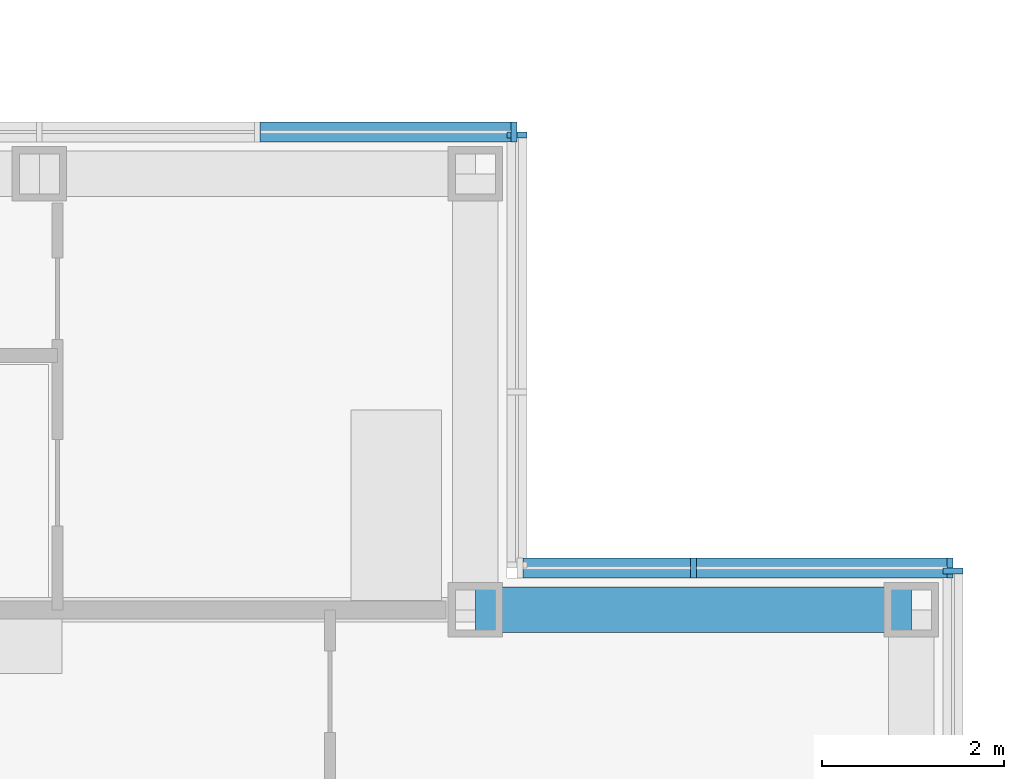
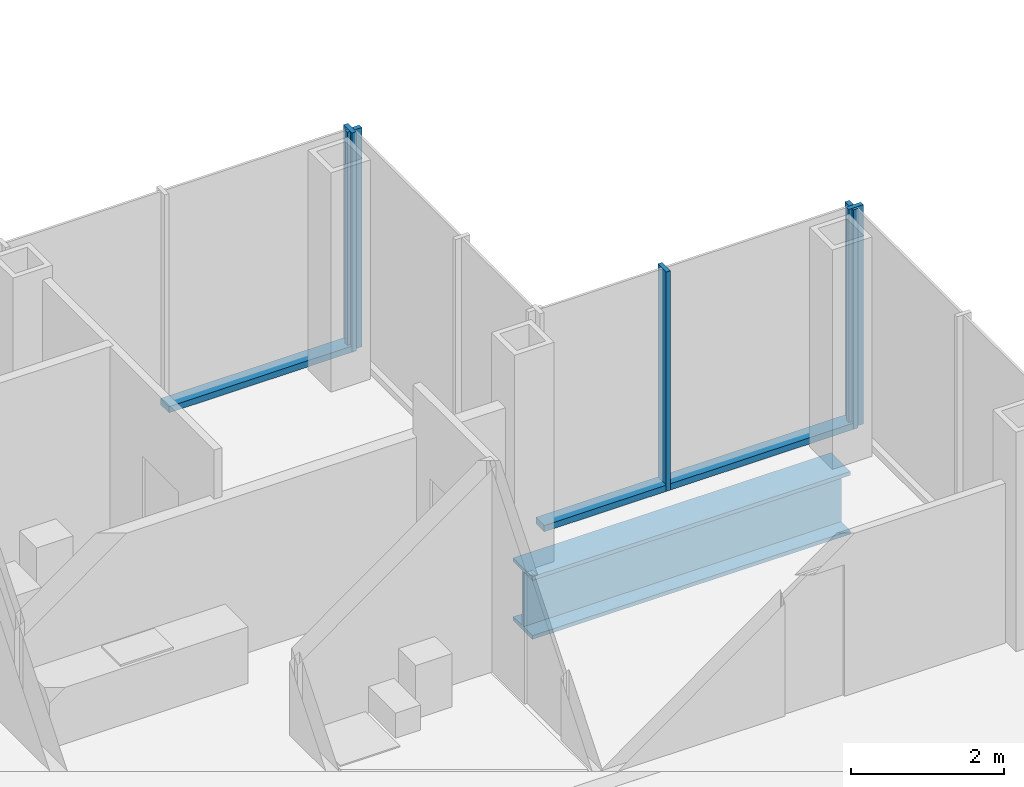
# One storey, part 9 of 19: 8 members, 1 beam, 4 elements without a shape of their own.
"""IFC4 building model written with IfcOpenShell, lengths in metres."""

from ifc_helpers import new_model, si_unit, direction, frame, origin, origin_2d, place, context, subcontext, project, spatial, rectangle, i_section, extrude, material, material_profile, profile_set, type_object, element, aggregate, save


model = new_model("IFC4")

# Units and contexts
model_context = context("Model", 3, precision=1e-05, world=origin(), true_north=direction((0.0, 1.0)))
body_context = subcontext(model_context, "Body", "Model", "MODEL_VIEW")
ifc_project = project(units=[si_unit("LENGTHUNIT", "METRE"), si_unit("AREAUNIT", "SQUARE_METRE"), si_unit("VOLUMEUNIT", "CUBIC_METRE"), si_unit("PLANEANGLEUNIT", "RADIAN"), si_unit("MASSUNIT", "GRAM", prefix="KILO")], contexts=[model_context])

# Site, building, storey
site_placement = place(None, origin())
site = spatial("IfcSite", under=ifc_project, at=site_placement, CompositionType="ELEMENT")
building_placement = place(site_placement, origin())
building = spatial("IfcBuilding", under=site, at=building_placement, Name="Kvirike Care Tower", CompositionType="ELEMENT")
storey_placement = place(building_placement, frame((0.0, 0.0, 108.5)))
storey = spatial("IfcBuildingStorey", under=building, at=storey_placement, Name="L29", CompositionType="ELEMENT", Elevation=108.5)

# Curtain wall, member
ifc_material_1 = material(Name="Anodised aluminium stick system", Category="aluminium")
curtain_wall_type = type_object("IfcCurtainWallType", Name="CW-B STICK CURTAIN WALL", PredefinedType="NOTDEFINED", material=ifc_material_1)
curtain_wall_1_placement = place(storey_placement, origin())
curtain_wall_1 = element("IfcCurtainWall", 1, at=curtain_wall_1_placement, inside=storey, type_object=curtain_wall_type, Name="Curtain wall L29 face 1", PredefinedType="NOTDEFINED")
ifc_material_2 = material(Name="Bronze anodised aluminium mullion", Category="aluminium")
ifc_material_profile_1 = material_profile(ifc_material_2, rectangle(XDim=0.06494140625, YDim=0.219970703125, at=origin_2d()), Name="CW-B MULLION 65x220")
ifc_profile_set_1 = profile_set([ifc_material_profile_1], Name="Bronze anodised aluminium mullion")
member_type_1 = type_object("IfcMemberType", Name="CW-B MULLION 65x220", PredefinedType="MULLION", material=ifc_profile_set_1)
member_1_placement = place(storey_placement, frame((43.659912109375, 38.827392578125, 0.0), z_axis=(0.0, 0.0, 1.0), x_axis=(0.0, 1.0, 0.0)))
member_1 = element("IfcMember", 2, at=member_1_placement, type_object=member_type_1, Name="CW-B mullion L29 face 1.9", PredefinedType="MULLION", context=body_context, shape_type="SweptSolid", body=[
    extrude(rectangle(XDim=0.06494140625, YDim=0.219970703125, at=origin_2d()), origin(), (0.0, 0.0, 1.0), 3.5),
])
aggregate(curtain_wall_1, [member_1])

# Curtain wall, members
curtain_wall_2_placement = place(storey_placement, origin())
curtain_wall_2 = element("IfcCurtainWall", 3, at=curtain_wall_2_placement, inside=storey, type_object=curtain_wall_type, Name="Curtain wall L29 face 2", PredefinedType="NOTDEFINED")
member_2_placement = place(storey_placement, frame((43.62744140625, 38.860107421875, 0.0), z_axis=(0.0, 0.0, 1.0), x_axis=(-1.0, 0.0, 0.0)))
member_2 = element("IfcMember", 4, at=member_2_placement, type_object=member_type_1, Name="CW-B mullion L29 face 2.1", PredefinedType="MULLION", context=body_context, shape_type="SweptSolid", body=[
    extrude(rectangle(XDim=0.06494140625, YDim=0.219970703125, at=origin_2d()), origin(), (0.0, 0.0, 1.0), 3.5),
])
member_3_placement = place(storey_placement, frame((40.800048828125, 38.860107421875, 0.0), z_axis=(0.0, 0.0, 1.0), x_axis=(-1.0, 0.0, 0.0)))
member_3 = element("IfcMember", 5, at=member_3_placement, type_object=member_type_1, Name="CW-B mullion L29 face 2.2", PredefinedType="MULLION", context=body_context, shape_type="SweptSolid", body=[
    extrude(rectangle(XDim=0.06494140625, YDim=0.219970703125, at=origin_2d()), origin(), (0.0, 0.0, 1.0), 3.5),
])

# Curtain wall, member
curtain_wall_3_placement = place(storey_placement, origin())
curtain_wall_3 = element("IfcCurtainWall", 6, at=curtain_wall_3_placement, inside=storey, type_object=curtain_wall_type, Name="Curtain wall L29 face 3", PredefinedType="NOTDEFINED")
member_4_placement = place(storey_placement, frame((38.860107421875, 43.62744140625, 0.0), z_axis=(0.0, 0.0, 1.0), x_axis=(0.0, 1.0, 0.0)))
member_4 = element("IfcMember", 7, at=member_4_placement, type_object=member_type_1, Name="CW-B mullion L29 face 3.3", PredefinedType="MULLION", context=body_context, shape_type="SweptSolid", body=[
    extrude(rectangle(XDim=0.06494140625, YDim=0.219970703125, at=origin_2d()), origin(), (0.0, 0.0, 1.0), 3.5),
])
aggregate(curtain_wall_3, [member_4])

curtain_wall_4_placement = place(storey_placement, origin())
curtain_wall_4 = element("IfcCurtainWall", 8, at=curtain_wall_4_placement, inside=storey, type_object=curtain_wall_type, Name="Curtain wall L29 face 4", PredefinedType="NOTDEFINED")
member_5_placement = place(storey_placement, frame((38.827392578125, 43.659912109375, 0.0), z_axis=(0.0, 0.0, 1.0), x_axis=(-1.0, 0.0, 0.0)))
member_5 = element("IfcMember", 9, at=member_5_placement, type_object=member_type_1, Name="CW-B mullion L29 face 4.1", PredefinedType="MULLION", context=body_context, shape_type="SweptSolid", body=[
    extrude(rectangle(XDim=0.06494140625, YDim=0.219970703125, at=origin_2d()), origin(), (0.0, 0.0, 1.0), 3.5),
])

# Member
ifc_material_3 = material(Name="Bronze anodised aluminium transom", Category="aluminium")
ifc_material_profile_2 = material_profile(ifc_material_3, rectangle(XDim=0.219970703125, YDim=0.10009765625, at=origin_2d()), Name="CW-B TRANSOM 220x100")
ifc_profile_set_2 = profile_set([ifc_material_profile_2], Name="Bronze anodised aluminium transom")
member_type_2 = type_object("IfcMemberType", Name="CW-B TRANSOM 220x100", PredefinedType="USERDEFINED", material=ifc_profile_set_2)
member_6_placement = place(storey_placement, frame((43.594970703125, 38.860107421875, 0.050048828125), z_axis=(-1.0, 0.0, 0.0), x_axis=(0.0, -1.0, 0.0)))
member_6 = element("IfcMember", 10, at=member_6_placement, type_object=member_type_2, Name="CW-B sill transom L29 face 2.1", ObjectType="TRANSOM", PredefinedType="USERDEFINED", context=body_context, shape_type="SweptSolid", body=[
    extrude(rectangle(XDim=0.219970703125, YDim=0.10009765625, at=origin_2d()), origin(), (0.0, 0.0, 1.0), 2.762451171875),
])

member_7_placement = place(storey_placement, frame((40.767578125, 38.860107421875, 0.050048828125), z_axis=(-1.0, 0.0, 0.0), x_axis=(0.0, -1.0, 0.0)))
member_7 = element("IfcMember", 11, at=member_7_placement, type_object=member_type_2, Name="CW-B sill transom L29 face 2.2", ObjectType="TRANSOM", PredefinedType="USERDEFINED", context=body_context, shape_type="SweptSolid", body=[
    extrude(rectangle(XDim=0.219970703125, YDim=0.10009765625, at=origin_2d()), origin(), (0.0, 0.0, 1.0), 1.842529296875),
])

aggregate(curtain_wall_2, [member_2, member_3, member_6, member_7])

member_8_placement = place(storey_placement, frame((38.794921875, 43.659912109375, 0.050048828125), z_axis=(-1.0, 0.0, 0.0), x_axis=(0.0, -1.0, 0.0)))
member_8 = element("IfcMember", 12, at=member_8_placement, type_object=member_type_2, Name="CW-B sill transom L29 face 4.1", ObjectType="TRANSOM", PredefinedType="USERDEFINED", context=body_context, shape_type="SweptSolid", body=[
    extrude(rectangle(XDim=0.219970703125, YDim=0.10009765625, at=origin_2d()), origin(), (0.0, 0.0, 1.0), 2.762451171875),
])

aggregate(curtain_wall_4, [member_5, member_8])

# Beam
ifc_material_4 = material(Name="Steel S355", Category="steel")
ifc_material_profile_3 = material_profile(ifc_material_4, i_section(OverallWidth=0.5, OverallDepth=1.0, WebThickness=0.030029296875, FlangeThickness=0.06005859375, at=origin_2d()), Name="PG 1000x500x30x60")
ifc_profile_set_3 = profile_set([ifc_material_profile_3], Name="Steel S355")
beam_type = type_object("IfcBeamType", Name="SPANDREL PG 1000x500x30x60", PredefinedType="SPANDREL", material=ifc_profile_set_3)
beam_placement = place(storey_placement, frame((38.39990234375, 38.39990234375, -0.669921875), z_axis=(1.0, 0.0, 0.0), x_axis=(0.0, 1.0, 0.0)))
element("IfcBeam", 13, at=beam_placement, inside=storey, type_object=beam_type, Name="Spandrel J11-J12 L29", PredefinedType="SPANDREL", context=body_context, shape_type="SweptSolid", body=[
    extrude(i_section(OverallWidth=0.5, OverallDepth=1.0, WebThickness=0.030029296875, FlangeThickness=0.06005859375, at=origin_2d()), origin(), (0.0, 0.0, 1.0), 4.800048828125),
])

save(model, "model.ifc")
